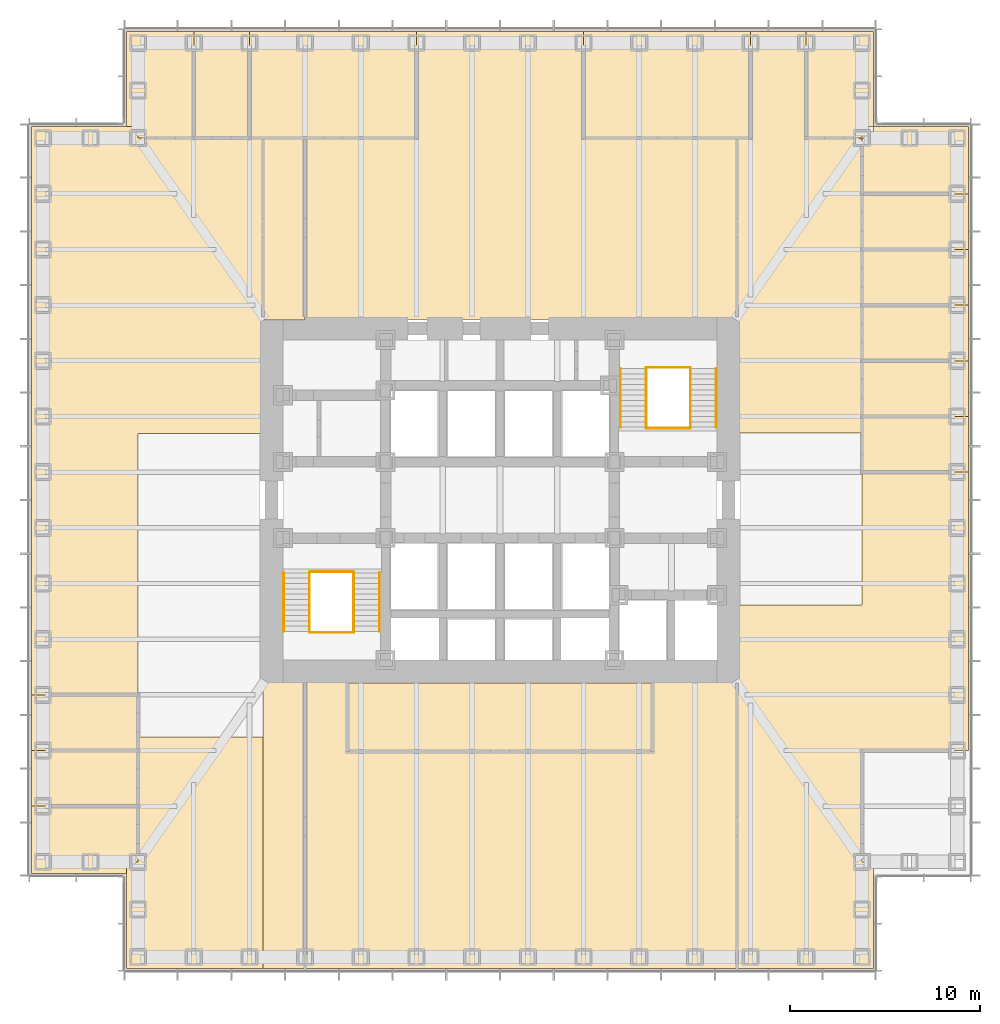
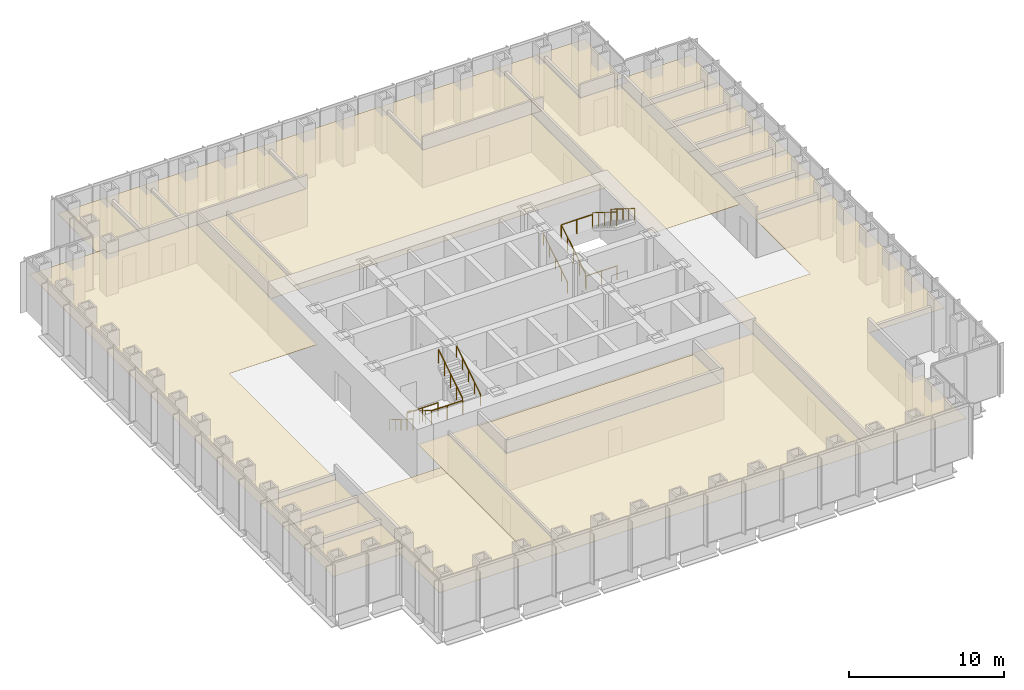
# One storey, part 17 of 17: 23 coverings, 12 railings.
"""IFC4 building model written with IfcOpenShell, lengths in metres."""

from ifc_helpers import new_model, si_unit, direction, frame, origin, origin_2d, place, context, subcontext, project, spatial, polyline, circle, outline, extrude, material, layer, layer_set, type_object, element, save


model = new_model("IFC4")

# Units and contexts
model_context = context("Model", 3, precision=1e-05, world=origin(), true_north=direction((0.0, 1.0)))
body_context = subcontext(model_context, "Body", "Model", "MODEL_VIEW")
ifc_project = project(units=[si_unit("LENGTHUNIT", "METRE"), si_unit("AREAUNIT", "SQUARE_METRE"), si_unit("VOLUMEUNIT", "CUBIC_METRE"), si_unit("PLANEANGLEUNIT", "RADIAN"), si_unit("MASSUNIT", "GRAM", prefix="KILO")], contexts=[model_context])

# Site, building, storey
site_placement = place(None, origin())
site = spatial("IfcSite", under=ifc_project, at=site_placement, CompositionType="ELEMENT")
building_placement = place(site_placement, origin())
building = spatial("IfcBuilding", under=site, at=building_placement, Name="Daluyong Arena Tower", CompositionType="ELEMENT")
storey_placement = place(building_placement, frame((0.0, 0.0, 55.89990234375)))
storey = spatial("IfcBuildingStorey", under=building, at=storey_placement, Name="L11", CompositionType="ELEMENT", Elevation=55.89990234375)

# Coverings
ifc_material_1 = material(Name="Mineral fibre ceiling tile", Category="gypsum board")
ifc_layer = layer(ifc_material_1, 0.02001953125)
ifc_layer_set = layer_set([ifc_layer], Name="Mineral fibre ceiling tile")
covering_type = type_object("IfcCoveringType", Name="Office ceiling", PredefinedType="CEILING", material=ifc_layer_set)
covering_1_placement = place(storey_placement, frame((0.0, 0.0, 2.900146484375)))
element("IfcCovering", 1, at=covering_1_placement, inside=storey, type_object=covering_type, Name="ceiling L11-02", PredefinedType="CEILING", context=body_context, shape_type="SweptSolid", body=[
    extrude(outline(polyline([(75.0, 81.46142578125), (80.60009765625, 81.46142578125), (80.60009765625, 84.384521484375), (75.0, 84.384521484375), (75.0, 81.46142578125)])), origin(), (0.0, 0.0, 1.0), 0.02001953125),
])
covering_2_placement = place(storey_placement, frame((0.0, 0.0, 2.900146484375)))
element("IfcCovering", 2, at=covering_2_placement, inside=storey, type_object=covering_type, Name="ceiling L11-03", PredefinedType="CEILING", context=body_context, shape_type="SweptSolid", body=[
    extrude(outline(polyline([(75.0, 84.384521484375), (80.60009765625, 84.384521484375), (80.60009765625, 87.3076171875), (75.0, 87.3076171875), (75.0, 84.384521484375)])), origin(), (0.0, 0.0, 1.0), 0.02001953125),
])
covering_3_placement = place(storey_placement, frame((0.0, 0.0, 2.900146484375)))
element("IfcCovering", 3, at=covering_3_placement, inside=storey, type_object=covering_type, Name="ceiling L11-04", PredefinedType="CEILING", context=body_context, shape_type="SweptSolid", body=[
    extrude(outline(polyline([(75.0, 87.3076171875), (80.60009765625, 87.3076171875), (80.60009765625, 90.230712890625), (75.0, 90.230712890625), (75.0, 87.3076171875)])), origin(), (0.0, 0.0, 1.0), 0.02001953125),
])
covering_4_placement = place(storey_placement, frame((0.0, 0.0, 2.900146484375)))
element("IfcCovering", 4, at=covering_4_placement, inside=storey, type_object=covering_type, Name="ceiling L11-05", PredefinedType="CEILING", context=body_context, shape_type="SweptSolid", body=[
    extrude(outline(polyline([(75.0, 90.230712890625), (80.60009765625, 90.230712890625), (80.60009765625, 93.15380859375), (75.0, 93.15380859375), (75.0, 90.230712890625)])), origin(), (0.0, 0.0, 1.0), 0.02001953125),
])
covering_5_placement = place(storey_placement, frame((0.0, 0.0, 2.900146484375)))
element("IfcCovering", 5, at=covering_5_placement, inside=storey, type_object=covering_type, Name="ceiling L11-06", PredefinedType="CEILING", context=body_context, shape_type="SweptSolid", body=[
    extrude(outline(polyline([(75.0, 93.15380859375), (80.60009765625, 93.15380859375), (80.60009765625, 96.076904296875), (75.0, 96.076904296875), (75.0, 93.15380859375)])), origin(), (0.0, 0.0, 1.0), 0.02001953125),
])
covering_6_placement = place(storey_placement, frame((0.0, 0.0, 2.900146484375)))
element("IfcCovering", 6, at=covering_6_placement, inside=storey, type_object=covering_type, Name="ceiling L11-07", PredefinedType="CEILING", context=body_context, shape_type="SweptSolid", body=[
    extrude(outline(polyline([(75.0, 96.076904296875), (80.60009765625, 96.076904296875), (80.60009765625, 99.60009765625), (75.60009765625, 99.60009765625), (75.60009765625, 99.0), (75.0, 99.0), (75.0, 96.076904296875)])), origin(), (0.0, 0.0, 1.0), 0.02001953125),
])
covering_7_placement = place(storey_placement, frame((0.0, 0.0, 2.900146484375)))
element("IfcCovering", 7, at=covering_7_placement, inside=storey, type_object=covering_type, Name="ceiling L11-08", PredefinedType="CEILING", context=body_context, shape_type="SweptSolid", body=[
    extrude(outline(polyline([(39.923095703125, 99.0), (39.923095703125, 104.60009765625), (36.39990234375, 104.60009765625), (36.39990234375, 99.60009765625), (37.0, 99.60009765625), (37.0, 99.0), (39.923095703125, 99.0)])), origin(), (0.0, 0.0, 1.0), 0.02001953125),
])
covering_8_placement = place(storey_placement, frame((0.0, 0.0, 2.900146484375)))
element("IfcCovering", 8, at=covering_8_placement, inside=storey, type_object=covering_type, Name="ceiling L11-09", PredefinedType="CEILING", context=body_context, shape_type="SweptSolid", body=[
    extrude(outline(polyline([(42.84619140625, 99.0), (42.84619140625, 104.60009765625), (39.923095703125, 104.60009765625), (39.923095703125, 99.0), (42.84619140625, 99.0)])), origin(), (0.0, 0.0, 1.0), 0.02001953125),
])
covering_9_placement = place(storey_placement, frame((0.0, 0.0, 2.900146484375)))
element("IfcCovering", 9, at=covering_9_placement, inside=storey, type_object=covering_type, Name="ceiling L11-10", PredefinedType="CEILING", context=body_context, shape_type="SweptSolid", body=[
    extrude(outline(polyline([(51.615478515625, 99.0), (51.615478515625, 104.60009765625), (42.84619140625, 104.60009765625), (42.84619140625, 99.0), (51.615478515625, 99.0)])), origin(), (0.0, 0.0, 1.0), 0.02001953125),
])
covering_10_placement = place(storey_placement, frame((0.0, 0.0, 2.900146484375)))
element("IfcCovering", 10, at=covering_10_placement, inside=storey, type_object=covering_type, Name="ceiling L11-11", PredefinedType="CEILING", context=body_context, shape_type="SweptSolid", body=[
    extrude(outline(polyline([(69.15380859375, 99.0), (69.15380859375, 104.60009765625), (60.384521484375, 104.60009765625), (60.384521484375, 99.0), (69.15380859375, 99.0)])), origin(), (0.0, 0.0, 1.0), 0.02001953125),
])
covering_11_placement = place(storey_placement, frame((0.0, 0.0, 2.900146484375)))
element("IfcCovering", 11, at=covering_11_placement, inside=storey, type_object=covering_type, Name="ceiling L11-12", PredefinedType="CEILING", context=body_context, shape_type="SweptSolid", body=[
    extrude(outline(polyline([(72.076904296875, 99.0), (75.0, 99.0), (75.0, 99.60009765625), (75.60009765625, 99.60009765625), (75.60009765625, 104.60009765625), (72.076904296875, 104.60009765625), (72.076904296875, 99.0)])), origin(), (0.0, 0.0, 1.0), 0.02001953125),
])
covering_12_placement = place(storey_placement, frame((0.0, 0.0, 2.900146484375)))
element("IfcCovering", 12, at=covering_12_placement, inside=storey, type_object=covering_type, Name="ceiling L11-13", PredefinedType="CEILING", context=body_context, shape_type="SweptSolid", body=[
    extrude(outline(polyline([(31.39990234375, 60.39990234375), (36.39990234375, 60.39990234375), (36.39990234375, 61.0), (37.0, 61.0), (37.0, 63.923095703125), (31.39990234375, 63.923095703125), (31.39990234375, 60.39990234375)])), origin(), (0.0, 0.0, 1.0), 0.02001953125),
])
covering_13_placement = place(storey_placement, frame((0.0, 0.0, 2.900146484375)))
element("IfcCovering", 13, at=covering_13_placement, inside=storey, type_object=covering_type, Name="ceiling L11-14", PredefinedType="CEILING", context=body_context, shape_type="SweptSolid", body=[
    extrude(outline(polyline([(37.0, 66.84619140625), (31.39990234375, 66.84619140625), (31.39990234375, 63.923095703125), (37.0, 63.923095703125), (37.0, 66.84619140625)])), origin(), (0.0, 0.0, 1.0), 0.02001953125),
])
covering_14_placement = place(storey_placement, frame((0.0, 0.0, 2.900146484375)))
element("IfcCovering", 14, at=covering_14_placement, inside=storey, type_object=covering_type, Name="ceiling L11-15", PredefinedType="CEILING", context=body_context, shape_type="SweptSolid", body=[
    extrude(outline(polyline([(37.0, 69.769287109375), (31.39990234375, 69.769287109375), (31.39990234375, 66.84619140625), (37.0, 66.84619140625), (37.0, 69.769287109375)])), origin(), (0.0, 0.0, 1.0), 0.02001953125),
])
covering_15_placement = place(storey_placement, frame((0.0, 0.0, 2.900146484375)))
element("IfcCovering", 15, at=covering_15_placement, inside=storey, type_object=covering_type, Name="ceiling L11-16", PredefinedType="CEILING", context=body_context, shape_type="SweptSolid", body=[
    extrude(outline(polyline([(48.0, 66.800048828125), (64.0, 66.800048828125), (64.0, 70.39990234375), (48.0, 70.39990234375), (48.0, 66.800048828125)])), origin(), (0.0, 0.0, 1.0), 0.02001953125),
])
covering_16_placement = place(storey_placement, frame((0.0, 0.0, 2.900146484375)))
element("IfcCovering", 16, at=covering_16_placement, inside=storey, type_object=covering_type, Name="ceiling L11-19", PredefinedType="CEILING", context=body_context, shape_type="SweptSolid", body=[
    extrude(outline(polyline([(69.163818359375, 104.590087890625), (69.163818359375, 98.989990234375), (68.4599609375, 98.989990234375), (68.4599609375, 83.510009765625), (74.989990234375, 83.510009765625), (74.989990234375, 98.989990234375), (72.06689453125, 98.989990234375), (72.06689453125, 104.590087890625), (69.163818359375, 104.590087890625)])), origin(), (0.0, 0.0, 1.0), 0.02001953125),
])
covering_17_placement = place(storey_placement, frame((0.0, 0.0, 2.900146484375)))
element("IfcCovering", 17, at=covering_17_placement, inside=storey, type_object=covering_type, Name="ceiling L11-20", PredefinedType="CEILING", context=body_context, shape_type="SweptSolid", body=[
    extrude(outline(polyline([(80.60009765625, 66.84619140625), (80.60009765625, 81.46142578125), (75.0, 81.46142578125), (75.0, 74.5), (68.449951171875, 74.5), (68.449951171875, 55.39990234375), (75.60009765625, 55.39990234375), (75.60009765625, 61.0), (75.0, 61.0), (75.0, 66.84619140625), (80.60009765625, 66.84619140625)])), origin(), (0.0, 0.0, 1.0), 0.02001953125),
])
covering_18_placement = place(storey_placement, frame((0.0, 0.0, 2.900146484375)))
element("IfcCovering", 18, at=covering_18_placement, inside=storey, type_object=covering_type, Name="ceiling L11-21", PredefinedType="CEILING", context=body_context, shape_type="SweptSolid", body=[
    extrude(outline(polyline([(37.0, 99.0), (37.0, 99.60009765625), (31.39990234375, 99.60009765625), (31.39990234375, 69.769287109375), (37.0, 69.769287109375), (37.0, 83.5), (43.550048828125, 83.5), (43.550048828125, 99.0), (37.0, 99.0)])), origin(), (0.0, 0.0, 1.0), 0.02001953125),
])
covering_19_placement = place(storey_placement, frame((0.0, 0.0, 2.900146484375)))
element("IfcCovering", 19, at=covering_19_placement, inside=storey, type_object=covering_type, Name="ceiling L11-22", PredefinedType="CEILING", context=body_context, shape_type="SweptSolid", body=[
    extrude(outline(polyline([(36.39990234375, 55.39990234375), (43.550048828125, 55.39990234375), (43.550048828125, 67.550048828125), (37.0, 67.550048828125), (37.0, 61.0), (36.39990234375, 61.0), (36.39990234375, 55.39990234375)])), origin(), (0.0, 0.0, 1.0), 0.02001953125),
])
covering_20_placement = place(storey_placement, frame((0.0, 0.0, 2.900146484375)))
element("IfcCovering", 20, at=covering_20_placement, inside=storey, type_object=covering_type, Name="ceiling L11-23", PredefinedType="CEILING", context=body_context, shape_type="SweptSolid", body=[
    extrude(outline(polyline([(43.550048828125, 55.39990234375), (45.769287109375, 55.39990234375), (45.769287109375, 70.550048828125), (43.550048828125, 70.550048828125), (43.550048828125, 55.39990234375)])), origin(), (0.0, 0.0, 1.0), 0.02001953125),
])
covering_21_placement = place(storey_placement, frame((0.0, 0.0, 2.900146484375)))
element("IfcCovering", 21, at=covering_21_placement, inside=storey, type_object=covering_type, Name="ceiling L11-24", PredefinedType="CEILING", context=body_context, shape_type="SweptSolid", body=[
    extrude(outline(polyline([(45.769287109375, 55.39990234375), (68.449951171875, 55.39990234375), (68.449951171875, 70.550048828125), (45.769287109375, 70.550048828125), (45.769287109375, 55.39990234375)]), holes=[polyline([(48.0, 66.800048828125), (48.0, 70.39990234375), (64.0, 70.39990234375), (64.0, 66.800048828125), (48.0, 66.800048828125)])]), origin(), (0.0, 0.0, 1.0), 0.02001953125),
])
covering_22_placement = place(storey_placement, frame((0.0, 0.0, 2.900146484375)))
element("IfcCovering", 22, at=covering_22_placement, inside=storey, type_object=covering_type, Name="ceiling L11-25", PredefinedType="CEILING", context=body_context, shape_type="SweptSolid", body=[
    extrude(outline(polyline([(45.769287109375, 99.0), (43.550048828125, 99.0), (43.550048828125, 89.449951171875), (45.769287109375, 89.449951171875), (45.769287109375, 99.0)])), origin(), (0.0, 0.0, 1.0), 0.02001953125),
])
covering_23_placement = place(storey_placement, frame((0.0, 0.0, 2.900146484375)))
element("IfcCovering", 23, at=covering_23_placement, inside=storey, type_object=covering_type, Name="ceiling L11-26", PredefinedType="CEILING", context=body_context, shape_type="SweptSolid", body=[
    extrude(outline(polyline([(51.615478515625, 99.0), (45.769287109375, 99.0), (45.769287109375, 89.449951171875), (68.449951171875, 89.449951171875), (68.449951171875, 99.0), (60.384521484375, 99.0), (60.384521484375, 104.60009765625), (51.615478515625, 104.60009765625), (51.615478515625, 99.0)])), origin(), (0.0, 0.0, 1.0), 0.02001953125),
])

# Railings
ifc_material_2 = material(Name="Stainless steel handrail", Category="steel")
railing_type_1 = type_object("IfcRailingType", Name="Stair handrail", PredefinedType="HANDRAIL", material=ifc_material_2)
railing_1_placement = place(storey_placement, frame((44.64990234375, 76.175048828125, 0.175048828125)))
element("IfcRailing", 24, at=railing_1_placement, inside=storey, type_object=railing_type_1, Name="exit stair A handrail L11", PredefinedType="HANDRAIL", context=body_context, shape_type="SweptSolid", body=[
    extrude(circle(Radius=0.02392578125, at=origin_2d()), frame((0.0, 0.0, 0.8759765625), z_axis=(0.0, -0.847998304005, 0.529998940003), x_axis=(1.0, 0.0, 0.0)), (0.0, 0.0, 1.0), 3.632080078125),
    extrude(circle(Radius=0.02099609375, at=origin_2d()), origin(), (0.0, 0.0, 1.0), 0.851806640625),
    extrude(circle(Radius=0.02099609375, at=origin_2d()), frame((0.0, -0.77001953125, 0.481201171875)), (0.0, 0.0, 1.0), 0.851806640625),
    extrude(circle(Radius=0.02099609375, at=origin_2d()), frame((0.0, -1.5400390625, 0.96240234375)), (0.0, 0.0, 1.0), 0.851806640625),
    extrude(circle(Radius=0.02099609375, at=origin_2d()), frame((0.0, -2.31005859375, 1.44384765625)), (0.0, 0.0, 1.0), 0.851806640625),
    extrude(circle(Radius=0.02099609375, at=origin_2d()), frame((0.0, -3.080078125, 1.925048828125)), (0.0, 0.0, 1.0), 0.851806640625),
])
for number, where, name in (
    (25, (49.675048828125, 73.094970703125, 2.275146484375), "exit stair A handrail L11"),
    (26, (62.324951171875, 83.824951171875, 0.175048828125), "exit stair B handrail L11"),
):
    element("IfcRailing", number, at=place(storey_placement, frame(where)), inside=storey, type_object=railing_type_1, Name=name, PredefinedType="HANDRAIL", context=body_context, shape_type="SweptSolid", body=[
        extrude(circle(Radius=0.02392578125, at=origin_2d()), frame((0.0, 0.0, 0.8759765625), z_axis=(0.0, 0.847998304005, 0.529998940003), x_axis=(-1.0, 0.0, 0.0)), (0.0, 0.0, 1.0), 3.632080078125),
        extrude(circle(Radius=0.02099609375, at=origin_2d()), origin(), (0.0, 0.0, 1.0), 0.851806640625),
        extrude(circle(Radius=0.02099609375, at=origin_2d()), frame((0.0, 0.77001953125, 0.481201171875)), (0.0, 0.0, 1.0), 0.851806640625),
        extrude(circle(Radius=0.02099609375, at=origin_2d()), frame((0.0, 1.5400390625, 0.96240234375)), (0.0, 0.0, 1.0), 0.851806640625),
        extrude(circle(Radius=0.02099609375, at=origin_2d()), frame((0.0, 2.31005859375, 1.44384765625)), (0.0, 0.0, 1.0), 0.851806640625),
        extrude(circle(Radius=0.02099609375, at=origin_2d()), frame((0.0, 3.080078125, 1.925048828125)), (0.0, 0.0, 1.0), 0.851806640625),
    ])
railing_2_placement = place(storey_placement, frame((67.35009765625, 86.905029296875, 2.275146484375)))
element("IfcRailing", 27, at=railing_2_placement, inside=storey, type_object=railing_type_1, Name="exit stair B handrail L11", PredefinedType="HANDRAIL", context=body_context, shape_type="SweptSolid", body=[
    extrude(circle(Radius=0.02392578125, at=origin_2d()), frame((0.0, 0.0, 0.8759765625), z_axis=(0.0, -0.847998304005, 0.529998940003), x_axis=(1.0, 0.0, 0.0)), (0.0, 0.0, 1.0), 3.632080078125),
    extrude(circle(Radius=0.02099609375, at=origin_2d()), origin(), (0.0, 0.0, 1.0), 0.851806640625),
    extrude(circle(Radius=0.02099609375, at=origin_2d()), frame((0.0, -0.77001953125, 0.481201171875)), (0.0, 0.0, 1.0), 0.851806640625),
    extrude(circle(Radius=0.02099609375, at=origin_2d()), frame((0.0, -1.5400390625, 0.96240234375)), (0.0, 0.0, 1.0), 0.851806640625),
    extrude(circle(Radius=0.02099609375, at=origin_2d()), frame((0.0, -2.31005859375, 1.44384765625)), (0.0, 0.0, 1.0), 0.851806640625),
    extrude(circle(Radius=0.02099609375, at=origin_2d()), frame((0.0, -3.080078125, 1.925048828125)), (0.0, 0.0, 1.0), 0.851806640625),
])
ifc_material_3 = material(Name="Steel balustrade", Category="steel")
railing_type_2 = type_object("IfcRailingType", Name="Stair well guard 1100", PredefinedType="GUARDRAIL", material=ifc_material_3)
railing_3_placement = place(storey_placement, frame((46.0, 76.175048828125, 0.175048828125)))
element("IfcRailing", 28, at=railing_3_placement, inside=storey, type_object=railing_type_2, Name="exit stair A well guard L11", PredefinedType="GUARDRAIL", context=body_context, shape_type="SweptSolid", body=[
    extrude(circle(Radius=0.02392578125, at=origin_2d()), frame((0.0, 0.0, 1.076171875), z_axis=(0.0, -0.847998304005, 0.529998940003), x_axis=(1.0, 0.0, 0.0)), (0.0, 0.0, 1.0), 3.632080078125),
    extrude(circle(Radius=0.02099609375, at=origin_2d()), origin(), (0.0, 0.0, 1.0), 1.052001953125),
    extrude(circle(Radius=0.02099609375, at=origin_2d()), frame((0.0, -0.77001953125, 0.481201171875)), (0.0, 0.0, 1.0), 1.052001953125),
    extrude(circle(Radius=0.02099609375, at=origin_2d()), frame((0.0, -1.5400390625, 0.96240234375)), (0.0, 0.0, 1.0), 1.052001953125),
    extrude(circle(Radius=0.02099609375, at=origin_2d()), frame((0.0, -2.31005859375, 1.44384765625)), (0.0, 0.0, 1.0), 1.052001953125),
    extrude(circle(Radius=0.02099609375, at=origin_2d()), frame((0.0, -3.080078125, 1.925048828125)), (0.0, 0.0, 1.0), 1.052001953125),
])
railing_4_placement = place(storey_placement, frame((48.324951171875, 73.094970703125, 2.275146484375)))
element("IfcRailing", 29, at=railing_4_placement, inside=storey, type_object=railing_type_2, Name="exit stair A well guard L11", PredefinedType="GUARDRAIL", context=body_context, shape_type="SweptSolid", body=[
    extrude(circle(Radius=0.02392578125, at=origin_2d()), frame((0.0, 0.0, 1.076171875), z_axis=(0.0, 0.847998304005, 0.529998940003), x_axis=(-1.0, 0.0, 0.0)), (0.0, 0.0, 1.0), 3.632080078125),
    extrude(circle(Radius=0.02099609375, at=origin_2d()), origin(), (0.0, 0.0, 1.0), 1.052001953125),
    extrude(circle(Radius=0.02099609375, at=origin_2d()), frame((0.0, 0.77001953125, 0.481201171875)), (0.0, 0.0, 1.0), 1.052001953125),
    extrude(circle(Radius=0.02099609375, at=origin_2d()), frame((0.0, 1.5400390625, 0.96240234375)), (0.0, 0.0, 1.0), 1.052001953125),
    extrude(circle(Radius=0.02099609375, at=origin_2d()), frame((0.0, 2.31005859375, 1.44384765625)), (0.0, 0.0, 1.0), 1.052001953125),
    extrude(circle(Radius=0.02099609375, at=origin_2d()), frame((0.0, 3.080078125, 1.925048828125)), (0.0, 0.0, 1.0), 1.052001953125),
])
for number, where, name in (
    (30, (46.0, 73.044921875, 2.10009765625), "exit stair A landing guard L11"),
    (31, (46.0, 76.22509765625, 0.0), "exit stair A floor landing guard L11"),
):
    element("IfcRailing", number, at=place(storey_placement, frame(where)), inside=storey, type_object=railing_type_2, Name=name, PredefinedType="GUARDRAIL", context=body_context, shape_type="SweptSolid", body=[
        extrude(circle(Radius=0.02392578125, at=origin_2d()), frame((0.0, 0.0, 1.076171875), z_axis=(1.0, 0.0, 0.0), x_axis=(0.0, 1.0, 0.0)), (0.0, 0.0, 1.0), 2.324951171875),
        extrude(circle(Radius=0.02099609375, at=origin_2d()), origin(), (0.0, 0.0, 1.0), 1.052001953125),
        extrude(circle(Radius=0.02099609375, at=origin_2d()), frame((1.16259765625, 0.0, 0.0)), (0.0, 0.0, 1.0), 1.052001953125),
        extrude(circle(Radius=0.02099609375, at=origin_2d()), frame((2.324951171875, 0.0, 0.0)), (0.0, 0.0, 1.0), 1.052001953125),
    ])
railing_5_placement = place(storey_placement, frame((63.675048828125, 83.824951171875, 0.175048828125)))
element("IfcRailing", 32, at=railing_5_placement, inside=storey, type_object=railing_type_2, Name="exit stair B well guard L11", PredefinedType="GUARDRAIL", context=body_context, shape_type="SweptSolid", body=[
    extrude(circle(Radius=0.02392578125, at=origin_2d()), frame((0.0, 0.0, 1.076171875), z_axis=(0.0, 0.847998304005, 0.529998940003), x_axis=(-1.0, 0.0, 0.0)), (0.0, 0.0, 1.0), 3.632080078125),
    extrude(circle(Radius=0.02099609375, at=origin_2d()), origin(), (0.0, 0.0, 1.0), 1.052001953125),
    extrude(circle(Radius=0.02099609375, at=origin_2d()), frame((0.0, 0.77001953125, 0.481201171875)), (0.0, 0.0, 1.0), 1.052001953125),
    extrude(circle(Radius=0.02099609375, at=origin_2d()), frame((0.0, 1.5400390625, 0.96240234375)), (0.0, 0.0, 1.0), 1.052001953125),
    extrude(circle(Radius=0.02099609375, at=origin_2d()), frame((0.0, 2.31005859375, 1.44384765625)), (0.0, 0.0, 1.0), 1.052001953125),
    extrude(circle(Radius=0.02099609375, at=origin_2d()), frame((0.0, 3.080078125, 1.925048828125)), (0.0, 0.0, 1.0), 1.052001953125),
])
railing_6_placement = place(storey_placement, frame((66.0, 86.905029296875, 2.275146484375)))
element("IfcRailing", 33, at=railing_6_placement, inside=storey, type_object=railing_type_2, Name="exit stair B well guard L11", PredefinedType="GUARDRAIL", context=body_context, shape_type="SweptSolid", body=[
    extrude(circle(Radius=0.02392578125, at=origin_2d()), frame((0.0, 0.0, 1.076171875), z_axis=(0.0, -0.847998304005, 0.529998940003), x_axis=(1.0, 0.0, 0.0)), (0.0, 0.0, 1.0), 3.632080078125),
    extrude(circle(Radius=0.02099609375, at=origin_2d()), origin(), (0.0, 0.0, 1.0), 1.052001953125),
    extrude(circle(Radius=0.02099609375, at=origin_2d()), frame((0.0, -0.77001953125, 0.481201171875)), (0.0, 0.0, 1.0), 1.052001953125),
    extrude(circle(Radius=0.02099609375, at=origin_2d()), frame((0.0, -1.5400390625, 0.96240234375)), (0.0, 0.0, 1.0), 1.052001953125),
    extrude(circle(Radius=0.02099609375, at=origin_2d()), frame((0.0, -2.31005859375, 1.44384765625)), (0.0, 0.0, 1.0), 1.052001953125),
    extrude(circle(Radius=0.02099609375, at=origin_2d()), frame((0.0, -3.080078125, 1.925048828125)), (0.0, 0.0, 1.0), 1.052001953125),
])
for number, where, name in (
    (34, (63.675048828125, 86.955078125, 2.10009765625), "exit stair B landing guard L11"),
    (35, (63.675048828125, 83.77490234375, 0.0), "exit stair B floor landing guard L11"),
):
    element("IfcRailing", number, at=place(storey_placement, frame(where)), inside=storey, type_object=railing_type_2, Name=name, PredefinedType="GUARDRAIL", context=body_context, shape_type="SweptSolid", body=[
        extrude(circle(Radius=0.02392578125, at=origin_2d()), frame((0.0, 0.0, 1.076171875), z_axis=(1.0, 0.0, 0.0), x_axis=(0.0, 1.0, 0.0)), (0.0, 0.0, 1.0), 2.324951171875),
        extrude(circle(Radius=0.02099609375, at=origin_2d()), origin(), (0.0, 0.0, 1.0), 1.052001953125),
        extrude(circle(Radius=0.02099609375, at=origin_2d()), frame((1.16259765625, 0.0, 0.0)), (0.0, 0.0, 1.0), 1.052001953125),
        extrude(circle(Radius=0.02099609375, at=origin_2d()), frame((2.324951171875, 0.0, 0.0)), (0.0, 0.0, 1.0), 1.052001953125),
    ])

save(model, "model.ifc")
